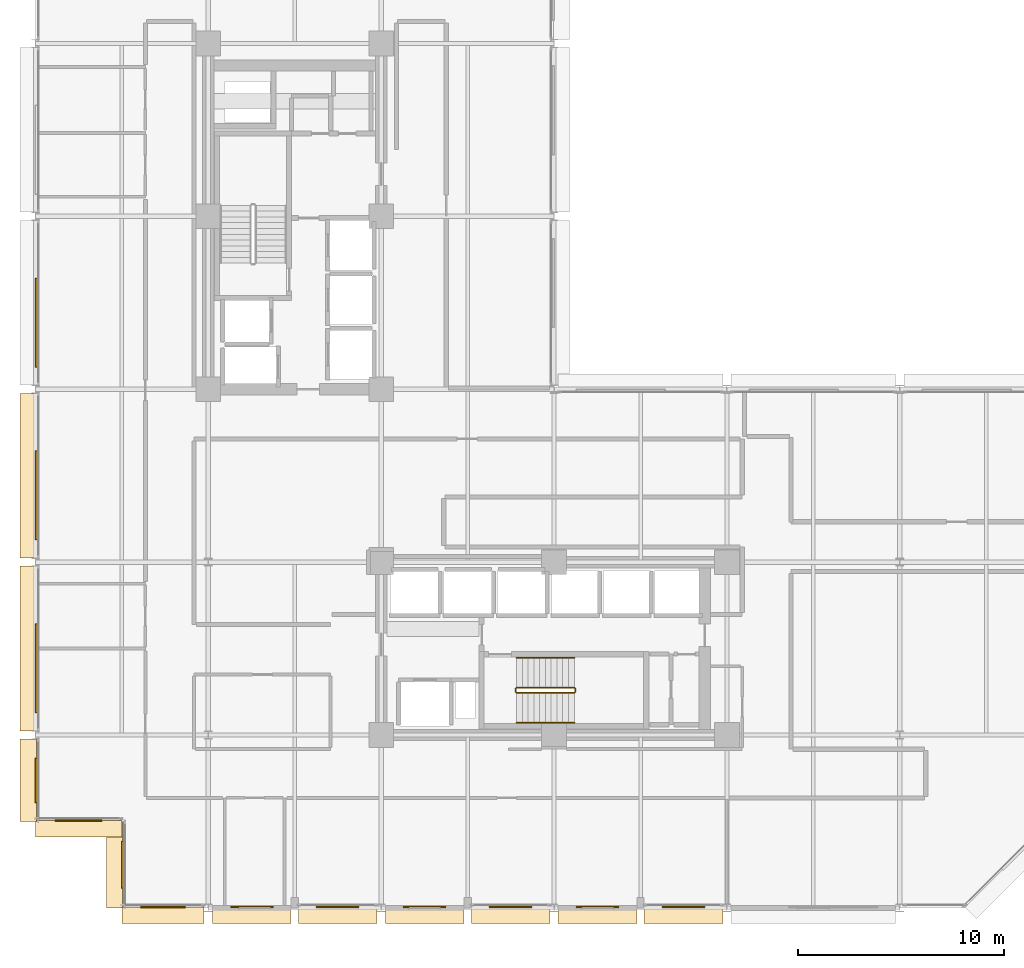
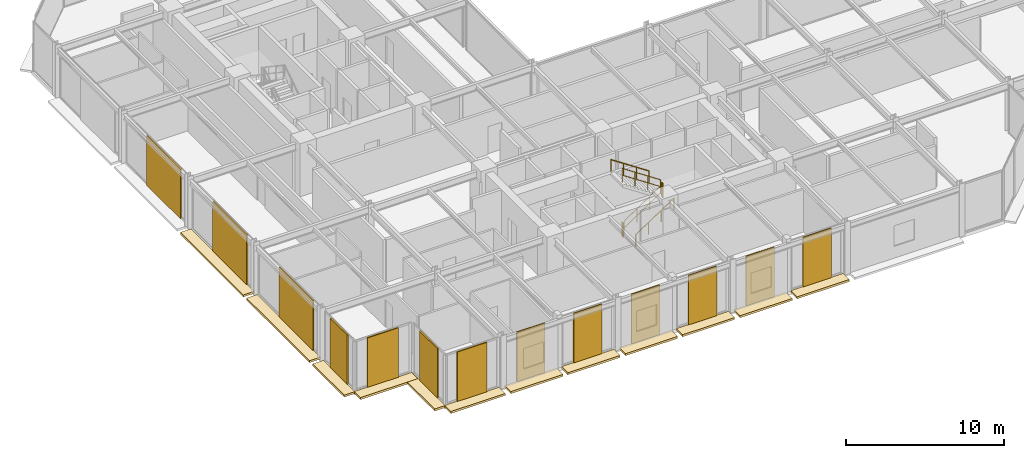
# One storey, part 36 of 39: 25 coverings, 6 railings.
"""IFC4 building model written with IfcOpenShell, lengths in metres."""

from ifc_helpers import new_model, si_unit, direction, frame, origin, origin_2d, place, context, subcontext, project, spatial, polyline, rectangle, circle, outline, extrude, material, layer, layer_set, type_object, element, save


model = new_model("IFC4")

# Units and contexts
model_context = context("Model", 3, precision=1e-05, world=origin(), true_north=direction((0.0, 1.0)))
body_context = subcontext(model_context, "Body", "Model", "MODEL_VIEW")
ifc_project = project(units=[si_unit("LENGTHUNIT", "METRE"), si_unit("AREAUNIT", "SQUARE_METRE"), si_unit("VOLUMEUNIT", "CUBIC_METRE"), si_unit("PLANEANGLEUNIT", "RADIAN"), si_unit("MASSUNIT", "GRAM", prefix="KILO")], contexts=[model_context])

# Site, building, storey
site_placement = place(None, origin())
site = spatial("IfcSite", under=ifc_project, at=site_placement, CompositionType="ELEMENT")
building_placement = place(site_placement, origin())
building = spatial("IfcBuilding", under=site, at=building_placement, Name="Nerrivon Quay Data Exchange", CompositionType="ELEMENT")
storey_placement = place(building_placement, frame((0.0, 0.0, 104.89990234375)))
storey = spatial("IfcBuildingStorey", under=building, at=storey_placement, Name="L24", CompositionType="ELEMENT", Elevation=104.89990234375)

# Coverings
ifc_material_1 = material(Name="Architectural terracotta ceramic", Category="masonry")
ifc_layer_1 = layer(ifc_material_1, 0.159912109375)
ifc_layer_set_1 = layer_set([ifc_layer_1], Name="Architectural terracotta ceramic")
covering_type_1 = type_object("IfcCoveringType", Name="COV-BLD-TERR", PredefinedType="CLADDING", material=ifc_layer_set_1)
covering_1_placement = place(storey_placement, frame((0.0, 0.0, -0.159912109375)))
element("IfcCovering", 1, at=covering_1_placement, inside=storey, type_object=covering_type_1, Name="L24 Horizontal Terracotta SOLAR SCREEN Blade", PredefinedType="CLADDING", context=body_context, shape_type="SweptSolid", body=[
    extrude(outline(polyline([(33.39990234375, 0.0400390625), (29.574951171875, 0.0400390625), (29.574951171875, -0.75), (33.39990234375, -0.75), (33.39990234375, 0.0400390625)])), origin(), (0.0, 0.0, 1.0), 0.159912109375),
])
covering_2_placement = place(storey_placement, frame((0.0, 0.0, -0.159912109375)))
element("IfcCovering", 2, at=covering_2_placement, inside=storey, type_object=covering_type_1, Name="L24 Horizontal Terracotta SOLAR SCREEN Blade", PredefinedType="CLADDING", context=body_context, shape_type="SweptSolid", body=[
    extrude(outline(polyline([(29.22509765625, 0.0400390625), (25.39990234375, 0.0400390625), (25.39990234375, -0.75), (29.22509765625, -0.75), (29.22509765625, 0.0400390625)])), origin(), (0.0, 0.0, 1.0), 0.159912109375),
])
covering_3_placement = place(storey_placement, frame((0.0, 0.0, -0.159912109375)))
element("IfcCovering", 3, at=covering_3_placement, inside=storey, type_object=covering_type_1, Name="L24 Horizontal Terracotta SOLAR SCREEN Blade", PredefinedType="CLADDING", context=body_context, shape_type="SweptSolid", body=[
    extrude(outline(polyline([(25.0, 0.0400390625), (21.175048828125, 0.0400390625), (21.175048828125, -0.75), (25.0, -0.75), (25.0, 0.0400390625)])), origin(), (0.0, 0.0, 1.0), 0.159912109375),
])
covering_4_placement = place(storey_placement, frame((0.0, 0.0, -0.159912109375)))
element("IfcCovering", 4, at=covering_4_placement, inside=storey, type_object=covering_type_1, Name="L24 Horizontal Terracotta SOLAR SCREEN Blade", PredefinedType="CLADDING", context=body_context, shape_type="SweptSolid", body=[
    extrude(outline(polyline([(20.824951171875, 0.0400390625), (17.0, 0.0400390625), (17.0, -0.75), (20.824951171875, -0.75), (20.824951171875, 0.0400390625)])), origin(), (0.0, 0.0, 1.0), 0.159912109375),
])
covering_5_placement = place(storey_placement, frame((0.0, 0.0, -0.159912109375)))
element("IfcCovering", 5, at=covering_5_placement, inside=storey, type_object=covering_type_1, Name="L24 Horizontal Terracotta SOLAR SCREEN Blade", PredefinedType="CLADDING", context=body_context, shape_type="SweptSolid", body=[
    extrude(outline(polyline([(16.60009765625, 0.0400390625), (12.77490234375, 0.0400390625), (12.77490234375, -0.75), (16.60009765625, -0.75), (16.60009765625, 0.0400390625)])), origin(), (0.0, 0.0, 1.0), 0.159912109375),
])
covering_6_placement = place(storey_placement, frame((0.0, 0.0, -0.159912109375)))
element("IfcCovering", 6, at=covering_6_placement, inside=storey, type_object=covering_type_1, Name="L24 Horizontal Terracotta SOLAR SCREEN Blade", PredefinedType="CLADDING", context=body_context, shape_type="SweptSolid", body=[
    extrude(outline(polyline([(12.425048828125, 0.0400390625), (8.60009765625, 0.0400390625), (8.60009765625, -0.75), (12.425048828125, -0.75), (12.425048828125, 0.0400390625)])), origin(), (0.0, 0.0, 1.0), 0.159912109375),
])
covering_7_placement = place(storey_placement, frame((0.0, 0.0, -0.159912109375)))
element("IfcCovering", 7, at=covering_7_placement, inside=storey, type_object=covering_type_1, Name="L24 Horizontal Terracotta SOLAR SCREEN Blade", PredefinedType="CLADDING", context=body_context, shape_type="SweptSolid", body=[
    extrude(outline(polyline([(8.199951171875, 0.0400390625), (4.199951171875, 0.0400390625), (4.199951171875, -0.75), (8.199951171875, -0.75), (8.199951171875, 0.0400390625)])), origin(), (0.0, 0.0, 1.0), 0.159912109375),
])
covering_8_placement = place(storey_placement, frame((0.0, 0.0, -0.159912109375)))
element("IfcCovering", 8, at=covering_8_placement, inside=storey, type_object=covering_type_1, Name="L24 Horizontal Terracotta SOLAR SCREEN Blade", PredefinedType="CLADDING", context=body_context, shape_type="SweptSolid", body=[
    extrude(outline(polyline([(4.239990234375, 0.0), (4.239990234375, 4.199951171875), (3.449951171875, 4.199951171875), (3.449951171875, 0.0), (4.239990234375, 0.0)])), origin(), (0.0, 0.0, 1.0), 0.159912109375),
])
covering_9_placement = place(storey_placement, frame((0.0, 0.0, -0.159912109375)))
element("IfcCovering", 9, at=covering_9_placement, inside=storey, type_object=covering_type_1, Name="L24 Horizontal Terracotta SOLAR SCREEN Blade", PredefinedType="CLADDING", context=body_context, shape_type="SweptSolid", body=[
    extrude(outline(polyline([(4.199951171875, 4.239990234375), (0.0, 4.239990234375), (0.0, 3.449951171875), (4.199951171875, 3.449951171875), (4.199951171875, 4.239990234375)])), origin(), (0.0, 0.0, 1.0), 0.159912109375),
])
covering_10_placement = place(storey_placement, frame((0.0, 0.0, -0.159912109375)))
element("IfcCovering", 10, at=covering_10_placement, inside=storey, type_object=covering_type_1, Name="L24 Horizontal Terracotta SOLAR SCREEN Blade", PredefinedType="CLADDING", context=body_context, shape_type="SweptSolid", body=[
    extrude(outline(polyline([(0.0400390625, 4.199951171875), (0.0400390625, 8.199951171875), (-0.75, 8.199951171875), (-0.75, 4.199951171875), (0.0400390625, 4.199951171875)])), origin(), (0.0, 0.0, 1.0), 0.159912109375),
])
covering_11_placement = place(storey_placement, frame((0.0, 0.0, -0.159912109375)))
element("IfcCovering", 11, at=covering_11_placement, inside=storey, type_object=covering_type_1, Name="L24 Horizontal Terracotta SOLAR SCREEN Blade", PredefinedType="CLADDING", context=body_context, shape_type="SweptSolid", body=[
    extrude(outline(polyline([(0.0400390625, 8.60009765625), (0.0400390625, 16.60009765625), (-0.75, 16.60009765625), (-0.75, 8.60009765625), (0.0400390625, 8.60009765625)])), origin(), (0.0, 0.0, 1.0), 0.159912109375),
])
covering_12_placement = place(storey_placement, frame((0.0, 0.0, -0.159912109375)))
element("IfcCovering", 12, at=covering_12_placement, inside=storey, type_object=covering_type_1, Name="L24 Horizontal Terracotta SOLAR SCREEN Blade", PredefinedType="CLADDING", context=body_context, shape_type="SweptSolid", body=[
    extrude(outline(polyline([(0.0400390625, 17.0), (0.0400390625, 25.0), (-0.75, 25.0), (-0.75, 17.0), (0.0400390625, 17.0)])), origin(), (0.0, 0.0, 1.0), 0.159912109375),
])
ifc_layer_2 = layer(ifc_material_1, 0.090087890625)
ifc_layer_set_2 = layer_set([ifc_layer_2], Name="Architectural terracotta ceramic")
covering_type_2 = type_object("IfcCoveringType", Name="COV-SCR-TERR", PredefinedType="CLADDING", material=ifc_layer_set_2)
covering_13_placement = place(storey_placement, frame((31.487548828125, 0.044921875, 0.0), z_axis=(0.0, 0.0, 1.0), x_axis=(-1.0, 0.0, 0.0)))
element("IfcCovering", 13, at=covering_13_placement, inside=storey, type_object=covering_type_2, Name="L24 Perforated Terracotta SOLAR SCREEN Cassette", PredefinedType="CLADDING", context=body_context, shape_type="SweptSolid", body=[
    extrude(rectangle(XDim=2.06494140625, YDim=0.090087890625, at=origin_2d()), origin(), (0.0, 0.0, 1.0), 3.824951171875),
])
covering_14_placement = place(storey_placement, frame((27.3125, 0.044921875, 0.0), z_axis=(0.0, 0.0, 1.0), x_axis=(-1.0, 0.0, 0.0)))
element("IfcCovering", 14, at=covering_14_placement, inside=storey, type_object=covering_type_2, Name="L24 Perforated Terracotta SOLAR SCREEN Cassette", PredefinedType="CLADDING", context=body_context, shape_type="SweptSolid", body=[
    extrude(rectangle(XDim=2.06591796875, YDim=0.090087890625, at=origin_2d()), origin(), (0.0, 0.0, 1.0), 3.824951171875),
])
for number, where, z_axis, x_axis, name in (
    (15, (23.08740234375, 0.044921875, 0.0), (0.0, 0.0, 1.0), (-1.0, 0.0, 0.0), "L24 Perforated Terracotta SOLAR SCREEN Cassette"),
    (16, (18.91259765625, 0.044921875, 0.0), (0.0, 0.0, 1.0), (-1.0, 0.0, 0.0), "L24 Perforated Terracotta SOLAR SCREEN Cassette"),
):
    element("IfcCovering", number, at=place(storey_placement, frame(where, z_axis=z_axis, x_axis=x_axis)), inside=storey, type_object=covering_type_2, Name=name, PredefinedType="CLADDING", context=body_context, shape_type="SweptSolid", body=[
        extrude(rectangle(XDim=2.06494140625, YDim=0.090087890625, at=origin_2d()), origin(), (0.0, 0.0, 1.0), 3.824951171875),
    ])
for number, where, z_axis, x_axis, name in (
    (17, (14.6875, 0.044921875, 0.0), (0.0, 0.0, 1.0), (-1.0, 0.0, 0.0), "L24 Perforated Terracotta SOLAR SCREEN Cassette"),
    (18, (10.512451171875, 0.044921875, 0.0), (0.0, 0.0, 1.0), (-1.0, 0.0, 0.0), "L24 Perforated Terracotta SOLAR SCREEN Cassette"),
):
    element("IfcCovering", number, at=place(storey_placement, frame(where, z_axis=z_axis, x_axis=x_axis)), inside=storey, type_object=covering_type_2, Name=name, PredefinedType="CLADDING", context=body_context, shape_type="SweptSolid", body=[
        extrude(rectangle(XDim=2.06591796875, YDim=0.090087890625, at=origin_2d()), origin(), (0.0, 0.0, 1.0), 3.824951171875),
    ])
covering_15_placement = place(storey_placement, frame((6.199951171875, 0.044921875, 0.0), z_axis=(0.0, 0.0, 1.0), x_axis=(-1.0, 0.0, 0.0)))
element("IfcCovering", 19, at=covering_15_placement, inside=storey, type_object=covering_type_2, Name="L24 Perforated Terracotta SOLAR SCREEN Cassette", PredefinedType="CLADDING", context=body_context, shape_type="SweptSolid", body=[
    extrude(rectangle(XDim=2.159912109375, YDim=0.090087890625, at=origin_2d()), origin(), (0.0, 0.0, 1.0), 3.824951171875),
])
for number, where, z_axis, x_axis, name in (
    (20, (4.2451171875, 2.10009765625, 0.0), (0.0, 0.0, 1.0), (0.0, 1.0, 0.0), "L24 Perforated Terracotta SOLAR SCREEN Cassette"),
    (21, (2.10009765625, 4.2451171875, 0.0), (0.0, 0.0, 1.0), (-1.0, 0.0, 0.0), "L24 Perforated Terracotta SOLAR SCREEN Cassette"),
):
    element("IfcCovering", number, at=place(storey_placement, frame(where, z_axis=z_axis, x_axis=x_axis)), inside=storey, type_object=covering_type_2, Name=name, PredefinedType="CLADDING", context=body_context, shape_type="SweptSolid", body=[
        extrude(rectangle(XDim=2.26806640625, YDim=0.090087890625, at=origin_2d()), origin(), (0.0, 0.0, 1.0), 3.824951171875),
    ])
covering_16_placement = place(storey_placement, frame((0.044921875, 6.199951171875, 0.0), z_axis=(0.0, 0.0, 1.0), x_axis=(0.0, 1.0, 0.0)))
element("IfcCovering", 22, at=covering_16_placement, inside=storey, type_object=covering_type_2, Name="L24 Perforated Terracotta SOLAR SCREEN Cassette", PredefinedType="CLADDING", context=body_context, shape_type="SweptSolid", body=[
    extrude(rectangle(XDim=2.159912109375, YDim=0.090087890625, at=origin_2d()), origin(), (0.0, 0.0, 1.0), 3.824951171875),
])
for number, where, z_axis, x_axis, name in (
    (23, (0.044921875, 11.639892578125, 0.0), (0.0, 0.0, 1.0), (0.0, 1.0, 0.0), "L24 Perforated Terracotta SOLAR SCREEN Cassette"),
    (24, (0.044921875, 20.0400390625, 0.0), (0.0, 0.0, 1.0), (0.0, 1.0, 0.0), "L24 Perforated Terracotta SOLAR SCREEN Cassette"),
    (25, (0.044921875, 28.43994140625, 0.0), (0.0, 0.0, 1.0), (0.0, 1.0, 0.0), "L24 Perforated Terracotta SOLAR SCREEN Cassette"),
):
    element("IfcCovering", number, at=place(storey_placement, frame(where, z_axis=z_axis, x_axis=x_axis)), inside=storey, type_object=covering_type_2, Name=name, PredefinedType="CLADDING", context=body_context, shape_type="SweptSolid", body=[
        extrude(rectangle(XDim=4.320068359375, YDim=0.090087890625, at=origin_2d()), origin(), (0.0, 0.0, 1.0), 3.824951171875),
    ])

# Railings
ifc_material_2 = material(Name="Steel Grade C350L0 (350 MPa)", Category="steel")
railing_type_1 = type_object("IfcRailingType", Name="RAIL-HAND-HR1", PredefinedType="HANDRAIL", material=ifc_material_2)
railing_1_placement = place(storey_placement, frame((23.3798828125, 9.0, 0.1865234375)))
element("IfcRailing", 26, at=railing_1_placement, inside=storey, type_object=railing_type_1, Name="L24 ST02 stair handrail 1", PredefinedType="HANDRAIL", context=body_context, shape_type="SweptSolid", body=[
    extrude(circle(Radius=0.02392578125, at=origin_2d()), frame((0.0, 0.0, 0.8759765625), z_axis=(0.832485552168, 0.0, 0.554046753832), x_axis=(0.0, 1.0, 0.0)), (0.0, 0.0, 1.0), 3.363525390625),
    extrude(circle(Radius=0.02099609375, at=origin_2d()), origin(), (0.0, 0.0, 1.0), 0.851806640625),
    extrude(circle(Radius=0.02099609375, at=origin_2d()), frame((0.933349609375, 0.0, 0.62109375)), (0.0, 0.0, 1.0), 0.851806640625),
    extrude(circle(Radius=0.02099609375, at=origin_2d()), frame((1.86669921875, 0.0, 1.242431640625)), (0.0, 0.0, 1.0), 0.851806640625),
    extrude(circle(Radius=0.02099609375, at=origin_2d()), frame((2.800048828125, 0.0, 1.863525390625)), (0.0, 0.0, 1.0), 0.851806640625),
])
railing_2_placement = place(storey_placement, frame((26.179931640625, 12.14990234375, 2.236572265625)))
element("IfcRailing", 27, at=railing_2_placement, inside=storey, type_object=railing_type_1, Name="L24 ST02 stair handrail 2", PredefinedType="HANDRAIL", context=body_context, shape_type="SweptSolid", body=[
    extrude(circle(Radius=0.02392578125, at=origin_2d()), frame((0.0, 0.0, 0.8759765625), z_axis=(-0.832485552168, 0.0, 0.554046753832), x_axis=(0.0, -1.0, 0.0)), (0.0, 0.0, 1.0), 3.363525390625),
    extrude(circle(Radius=0.02099609375, at=origin_2d()), origin(), (0.0, 0.0, 1.0), 0.851806640625),
    extrude(circle(Radius=0.02099609375, at=origin_2d()), frame((-0.933349609375, 0.0, 0.62109375)), (0.0, 0.0, 1.0), 0.851806640625),
    extrude(circle(Radius=0.02099609375, at=origin_2d()), frame((-1.86669921875, 0.0, 1.242431640625)), (0.0, 0.0, 1.0), 0.851806640625),
    extrude(circle(Radius=0.02099609375, at=origin_2d()), frame((-2.800048828125, 0.0, 1.863525390625)), (0.0, 0.0, 1.0), 0.851806640625),
])
railing_type_2 = type_object("IfcRailingType", Name="RAIL-STAIR-GR1", PredefinedType="BALUSTRADE", material=ifc_material_2)
railing_3_placement = place(storey_placement, frame((23.3798828125, 10.449951171875, 0.1865234375)))
element("IfcRailing", 28, at=railing_3_placement, inside=storey, type_object=railing_type_2, Name="L24 ST02 stair guard 1", PredefinedType="BALUSTRADE", context=body_context, shape_type="SweptSolid", body=[
    extrude(circle(Radius=0.02392578125, at=origin_2d()), frame((0.0, 0.0, 1.076171875), z_axis=(0.832485552168, 0.0, 0.554046753832), x_axis=(0.0, 1.0, 0.0)), (0.0, 0.0, 1.0), 3.363525390625),
    extrude(circle(Radius=0.02392578125, at=origin_2d()), frame((0.0, 0.0, 0.550048828125), z_axis=(0.832485552168, 0.0, 0.554046753832), x_axis=(0.0, 1.0, 0.0)), (0.0, 0.0, 1.0), 3.363525390625),
    extrude(circle(Radius=0.02099609375, at=origin_2d()), origin(), (0.0, 0.0, 1.0), 1.052001953125),
    extrude(circle(Radius=0.02099609375, at=origin_2d()), frame((0.933349609375, 0.0, 0.62109375)), (0.0, 0.0, 1.0), 1.052001953125),
    extrude(circle(Radius=0.02099609375, at=origin_2d()), frame((1.86669921875, 0.0, 1.242431640625)), (0.0, 0.0, 1.0), 1.052001953125),
    extrude(circle(Radius=0.02099609375, at=origin_2d()), frame((2.800048828125, 0.0, 1.863525390625)), (0.0, 0.0, 1.0), 1.052001953125),
])
railing_4_placement = place(storey_placement, frame((26.22998046875, 10.5, 2.050048828125)))
element("IfcRailing", 29, at=railing_4_placement, inside=storey, type_object=railing_type_2, Name="L24 ST02 stair guard 2", PredefinedType="BALUSTRADE", context=body_context, shape_type="SweptSolid", body=[
    extrude(circle(Radius=0.02392578125, at=origin_2d()), frame((0.0, 0.0, 1.076171875), z_axis=(0.0, 1.0, 0.0), x_axis=(-1.0, 0.0, 0.0)), (0.0, 0.0, 1.0), 0.14990234375),
    extrude(circle(Radius=0.02392578125, at=origin_2d()), frame((0.0, 0.0, 0.550048828125), z_axis=(0.0, 1.0, 0.0), x_axis=(-1.0, 0.0, 0.0)), (0.0, 0.0, 1.0), 0.14990234375),
    extrude(circle(Radius=0.02099609375, at=origin_2d()), origin(), (0.0, 0.0, 1.0), 1.052001953125),
    extrude(circle(Radius=0.02099609375, at=origin_2d()), frame((0.0, 0.14990234375, 0.0)), (0.0, 0.0, 1.0), 1.052001953125),
])
railing_5_placement = place(storey_placement, frame((26.179931640625, 10.699951171875, 2.236572265625)))
element("IfcRailing", 30, at=railing_5_placement, inside=storey, type_object=railing_type_2, Name="L24 ST02 stair guard 3", PredefinedType="BALUSTRADE", context=body_context, shape_type="SweptSolid", body=[
    extrude(circle(Radius=0.02392578125, at=origin_2d()), frame((0.0, 0.0, 1.076171875), z_axis=(-0.832485552168, 0.0, 0.554046753832), x_axis=(0.0, -1.0, 0.0)), (0.0, 0.0, 1.0), 3.363525390625),
    extrude(circle(Radius=0.02392578125, at=origin_2d()), frame((0.0, 0.0, 0.550048828125), z_axis=(-0.832485552168, 0.0, 0.554046753832), x_axis=(0.0, -1.0, 0.0)), (0.0, 0.0, 1.0), 3.363525390625),
    extrude(circle(Radius=0.02099609375, at=origin_2d()), origin(), (0.0, 0.0, 1.0), 1.052001953125),
    extrude(circle(Radius=0.02099609375, at=origin_2d()), frame((-0.933349609375, 0.0, 0.62109375)), (0.0, 0.0, 1.0), 1.052001953125),
    extrude(circle(Radius=0.02099609375, at=origin_2d()), frame((-1.86669921875, 0.0, 1.242431640625)), (0.0, 0.0, 1.0), 1.052001953125),
    extrude(circle(Radius=0.02099609375, at=origin_2d()), frame((-2.800048828125, 0.0, 1.863525390625)), (0.0, 0.0, 1.0), 1.052001953125),
])
railing_6_placement = place(storey_placement, frame((23.330078125, 10.5, 0.0)))
element("IfcRailing", 31, at=railing_6_placement, inside=storey, type_object=railing_type_2, Name="L24 ST02 stair guard 4", PredefinedType="BALUSTRADE", context=body_context, shape_type="SweptSolid", body=[
    extrude(circle(Radius=0.02392578125, at=origin_2d()), frame((0.0, 0.0, 1.076171875), z_axis=(0.0, 1.0, 0.0), x_axis=(-1.0, 0.0, 0.0)), (0.0, 0.0, 1.0), 0.14990234375),
    extrude(circle(Radius=0.02392578125, at=origin_2d()), frame((0.0, 0.0, 0.550048828125), z_axis=(0.0, 1.0, 0.0), x_axis=(-1.0, 0.0, 0.0)), (0.0, 0.0, 1.0), 0.14990234375),
    extrude(circle(Radius=0.02099609375, at=origin_2d()), origin(), (0.0, 0.0, 1.0), 1.052001953125),
    extrude(circle(Radius=0.02099609375, at=origin_2d()), frame((0.0, 0.14990234375, 0.0)), (0.0, 0.0, 1.0), 1.052001953125),
])

save(model, "model.ifc")
